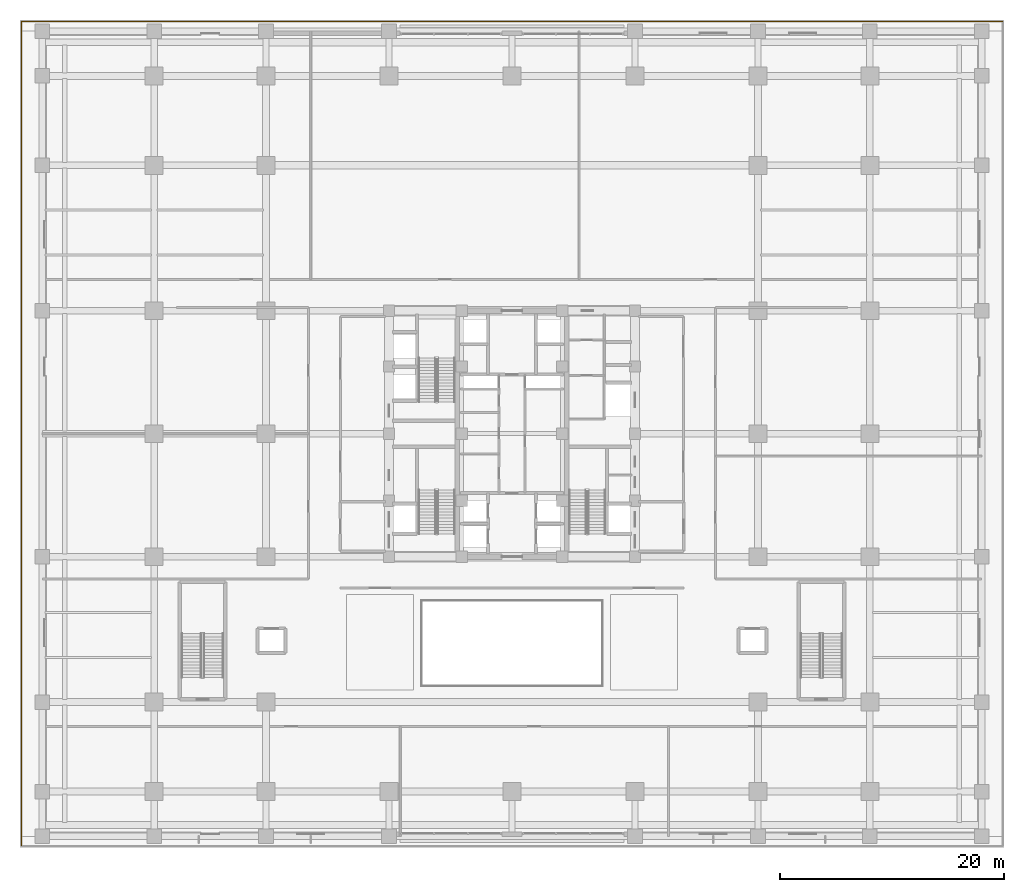
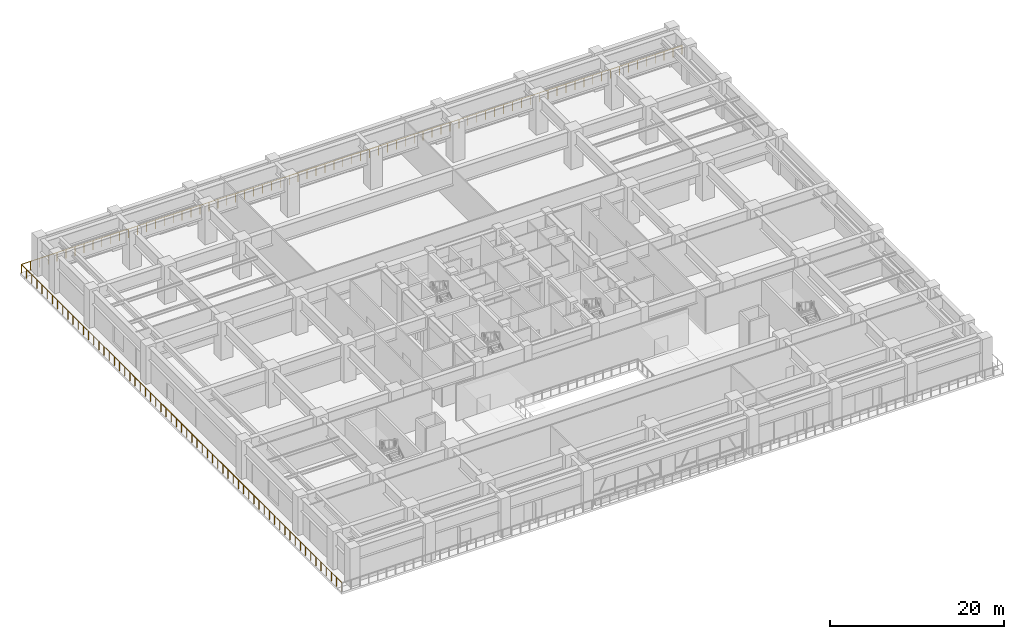
# One storey, part 25 of 28: 1 railing.
"""IFC4 building model written with IfcOpenShell, lengths in metres."""

import ifcopenshell
import ifcopenshell.guid

model = None  # the IFC model being written
_history = None  # IfcOwnerHistory: only IFC2X3 demands one
_inside = {}  # id of a spatial element -> (the spatial element, [elements in it])
_under = {}  # id of a project, library or spatial element -> (it, [spatial elements below it])
_declared = {}  # id of a project -> (the project, [libraries it declares])
_typed = {}  # id of a type object -> (the type object, [elements of that type])
_made_of = {}  # id of a material, layer set ... -> (it, [elements and type objects made of it])


def new_model(schema):
    """Start an empty IFC model of exactly this schema.

    Asked for "IFC4X3", IfcOpenShell would pick the latest addendum, in which some entities
    have other attributes; the version numbers below select the first issue.
    IFC2X3 requires an IfcOwnerHistory on every rooted entity: one is made here for all.
    """
    global model, _history
    if schema == "IFC4X3":
        model = ifcopenshell.file(schema_version=(4, 3, 0, 0))
    else:
        model = ifcopenshell.file(schema=schema)
    _inside.clear()
    _under.clear()
    _declared.clear()
    _typed.clear()
    _made_of.clear()
    _history = None
    if model.schema == "IFC2X3":
        org = make("IfcOrganization", Name="unknown")
        user = make(
            "IfcPersonAndOrganization",
            ThePerson=make("IfcPerson", FamilyName="unknown"),
            TheOrganization=org,
        )
        app = make(
            "IfcApplication",
            ApplicationDeveloper=org,
            Version="unknown",
            ApplicationFullName="unknown",
            ApplicationIdentifier="unknown",
        )
        _history = make(
            "IfcOwnerHistory",
            OwningUser=user,
            OwningApplication=app,
            ChangeAction="ADDED",
            CreationDate=0,
        )
    return model


def make(cls, **values):
    """One entity of the class cls with the attributes given. An attribute that is None is left unset."""
    return model.create_entity(
        cls, **{name: value for name, value in values.items() if value is not None}
    )


def rooted(cls, **values):
    """An entity with a GlobalId (a new one), such as an element, a storey or a relation."""
    return make(cls, GlobalId=ifcopenshell.guid.new(), OwnerHistory=_history, **values)


def si_unit(unit_type, name, prefix=None):
    """IfcSIUnit, for example si_unit("LENGTHUNIT", "METRE", prefix="MILLI")."""
    return make("IfcSIUnit", UnitType=unit_type, Prefix=prefix, Name=name)


def assignment(units):
    """IfcUnitAssignment: the units of a project."""
    return None if units is None else make("IfcUnitAssignment", Units=units)


def point(xyz):
    """IfcCartesianPoint."""
    return None if xyz is None else make("IfcCartesianPoint", Coordinates=xyz)


def direction(xyz):
    """IfcDirection."""
    return None if xyz is None else make("IfcDirection", DirectionRatios=xyz)


def frame(location, z_axis=None, x_axis=None):
    """IfcAxis2Placement3D, a coordinate frame: its origin and axes. An axis left out is left unset."""
    return make(
        "IfcAxis2Placement3D",
        Location=point(location),
        Axis=direction(z_axis),
        RefDirection=direction(x_axis),
    )


def frame_2d(location, x_axis=None):
    """IfcAxis2Placement2D, a coordinate frame in the plane: its origin and x axis."""
    return make(
        "IfcAxis2Placement2D", Location=point(location), RefDirection=direction(x_axis)
    )


def origin():
    """The frame at (0, 0, 0) with its axes left unset."""
    return frame((0.0, 0.0, 0.0))


def origin_2d():
    """The frame at (0, 0) in the plane with its x axis left unset."""
    return frame_2d((0.0, 0.0))


def place(relative_to, where):
    """IfcLocalPlacement: puts the frame where relative to a parent placement (None: the world)."""
    return make(
        "IfcLocalPlacement", PlacementRelTo=relative_to, RelativePlacement=where
    )


def context(
    kind, dimensions, precision=None, world=None, true_north=None, identifier=None
):
    """IfcGeometricRepresentationContext, for example the 3D "Model" context."""
    return make(
        "IfcGeometricRepresentationContext",
        ContextIdentifier=identifier,
        ContextType=kind,
        CoordinateSpaceDimension=dimensions,
        Precision=precision,
        WorldCoordinateSystem=world,
        TrueNorth=true_north,
    )


def subcontext(parent, identifier, kind, view, scale=None):
    """IfcGeometricRepresentationSubContext, for example "Body" below "Model"."""
    return make(
        "IfcGeometricRepresentationSubContext",
        ContextIdentifier=identifier,
        ContextType=kind,
        ParentContext=parent,
        TargetScale=scale,
        TargetView=view,
    )


def project(units=None, contexts=None):
    """IfcProject with its units and contexts."""
    return rooted(
        "IfcProject",
        Name="project",
        RepresentationContexts=contexts,
        UnitsInContext=assignment(units),
    )


def spatial(cls, under=None, at=None, **own):
    """A site, building, storey or space (cls), placed at a placement, below another one or the project."""
    s = rooted(cls, ObjectPlacement=at, **own)
    if under is not None:
        _under.setdefault(under.id(), (under, []))[1].append(s)
    return s


def profile(cls, at=None, kind="AREA", **sizes):
    """A parametric profile (cls). Its sizes go by their IFC names, for example OverallWidth=200.0."""
    return make(cls, ProfileType=kind, Position=at, **sizes)


def circle(**sizes):
    """IfcCircleProfileDef."""
    return profile("IfcCircleProfileDef", **sizes)


def extrude(swept, where, along, depth):
    """IfcExtrudedAreaSolid: the profile swept, set in the frame where, extruded along a direction by depth."""
    return make(
        "IfcExtrudedAreaSolid",
        SweptArea=swept,
        Position=where,
        ExtrudedDirection=direction(along),
        Depth=depth,
    )


def shape(context_of_items, identifier, shape_type, items):
    """IfcShapeRepresentation: the items that make up one representation, for example the "Body"."""
    return make(
        "IfcShapeRepresentation",
        ContextOfItems=context_of_items,
        RepresentationIdentifier=identifier,
        RepresentationType=shape_type,
        Items=items,
    )


def source(mapping_origin, context_of_items, identifier, shape_type, items):
    """IfcRepresentationMap: a shape defined once, which mapped items show again and again."""
    return make(
        "IfcRepresentationMap",
        MappingOrigin=mapping_origin,
        MappedRepresentation=shape(context_of_items, identifier, shape_type, items),
    )


def transform(
    local_origin,
    x_axis=None,
    y_axis=None,
    z_axis=None,
    scale=None,
    scale2=None,
    scale3=None,
    uniform=True,
):
    """IfcCartesianTransformationOperator3D, or its non-uniform kind. x_axis, y_axis, z_axis: its Axis1, 2, 3."""
    if uniform:
        return make(
            "IfcCartesianTransformationOperator3D",
            Axis1=direction(x_axis),
            Axis2=direction(y_axis),
            LocalOrigin=point(local_origin),
            Scale=scale,
            Axis3=direction(z_axis),
        )
    return make(
        "IfcCartesianTransformationOperator3DnonUniform",
        Axis1=direction(x_axis),
        Axis2=direction(y_axis),
        LocalOrigin=point(local_origin),
        Scale=scale,
        Axis3=direction(z_axis),
        Scale2=scale2,
        Scale3=scale3,
    )


def mapped(mapping_source, mapping_target):
    """IfcMappedItem: shows the shape of a source again, moved by a transform."""
    return make(
        "IfcMappedItem", MappingSource=mapping_source, MappingTarget=mapping_target
    )


def material(Name=None, Category=None):
    """IfcMaterial."""
    return make("IfcMaterial", Name=Name, Category=Category)


def made_of(thing, what):
    """Note that an element or type object is made of a material, layer set ...; save() writes the relation."""
    if what is not None:
        _made_of.setdefault(what.id(), (what, []))[1].append(thing)
    return thing


def type_object(cls, material=None, **own):
    """A type object (cls), such as IfcWallType, which elements share."""
    return made_of(rooted(cls, **own), material)


def element(
    cls,
    number,
    at=None,
    inside=None,
    cuts=None,
    type_object=None,
    material=None,
    context=None,
    identifier="Body",
    shape_type=None,
    held_by="IfcProductDefinitionShape",
    body=None,
    shapes=None,
    **own,
):
    """One element of the class cls, such as IfcWall. Its Tag is "e" and its number.

    at: its placement. inside: the storey or other place that contains it. cuts: it is an
    opening in that element (IfcRelVoidsElement). A single representation is given by context,
    identifier, shape_type and body (its items); several are given by shapes. held_by: the class
    of the entity that holds the representations. save() writes the other relations.
    """
    e = rooted(cls, Tag="e%d" % number, ObjectPlacement=at, **own)
    if body is not None:
        shapes = [shape(context, identifier, shape_type, body)]
    if shapes is not None:
        e.Representation = make(held_by, Representations=shapes)
    if inside is not None:
        _inside.setdefault(inside.id(), (inside, []))[1].append(e)
    if cuts is not None:
        rooted(
            "IfcRelVoidsElement", RelatingBuildingElement=cuts, RelatedOpeningElement=e
        )
    if type_object is not None:
        _typed.setdefault(type_object.id(), (type_object, []))[1].append(e)
    return made_of(e, material)


def aggregate(whole, parts):
    """IfcRelAggregates: a whole, such as a stair, and the parts it consists of."""
    return rooted("IfcRelAggregates", RelatingObject=whole, RelatedObjects=parts)


def save(model, path):
    """Write the relations noted so far, then the file.

    IfcRelAggregates (storeys below a building ...), IfcRelContainedInSpatialStructure (elements
    in a storey), IfcRelDefinesByType, IfcRelAssociatesMaterial and IfcRelDeclares: one each for
    every whole, place, type object, material and project.
    """
    for whole, parts in _under.values():
        aggregate(whole, parts)
    for where, things in _inside.values():
        rooted(
            "IfcRelContainedInSpatialStructure",
            RelatedElements=things,
            RelatingStructure=where,
        )
    for kind, things in _typed.values():
        rooted("IfcRelDefinesByType", RelatedObjects=things, RelatingType=kind)
    for what, things in _made_of.values():
        rooted("IfcRelAssociatesMaterial", RelatedObjects=things, RelatingMaterial=what)
    for by, libraries in _declared.values():
        rooted("IfcRelDeclares", RelatingContext=by, RelatedDefinitions=libraries)
    model.write(path)


model = new_model("IFC4")

# Units and contexts
model_context = context("Model", 3, precision=1e-05, world=origin(), true_north=direction((0.0, 1.0)))
body_context = subcontext(model_context, "Body", "Model", "MODEL_VIEW")
ifc_project = project(units=[si_unit("LENGTHUNIT", "METRE"), si_unit("AREAUNIT", "SQUARE_METRE"), si_unit("VOLUMEUNIT", "CUBIC_METRE"), si_unit("PLANEANGLEUNIT", "RADIAN"), si_unit("MASSUNIT", "GRAM", prefix="KILO")], contexts=[model_context])

# Site, building, storey
site_placement = place(None, origin())
site = spatial("IfcSite", under=ifc_project, at=site_placement, CompositionType="ELEMENT")
building_placement = place(site_placement, origin())
building = spatial("IfcBuilding", under=site, at=building_placement, Name="Khorayat Bourse Tower", CompositionType="ELEMENT")
storey_placement = place(building_placement, frame((0.0, 0.0, 12.0)))
storey = spatial("IfcBuildingStorey", under=building, at=storey_placement, Name="L02", CompositionType="ELEMENT", Elevation=12.0)

# Railing
ifc_material = material(Name="Laminated glass and bronze balustrade", Category="glass")
railing_type = type_object("IfcRailingType", Name="RLG-TERR-1250", PredefinedType="GUARDRAIL", material=ifc_material)
shared_shape = source(origin(), body_context, "Body", "SweptSolid", [
    extrude(circle(Radius=0.02392578125, at=origin_2d()), frame((0.0, 0.0, 1.22607421875), z_axis=(-1.0, 0.0, 0.0), x_axis=(0.0, -1.0, 0.0)), (0.0, 0.0, 1.0), 87.759765625),
    extrude(circle(Radius=0.02392578125, at=origin_2d()), frame((-87.759765625, 0.0, 1.22607421875), z_axis=(0.0, -1.0, 0.0), x_axis=(1.0, 0.0, 0.0)), (0.0, 0.0, 1.0), 73.699951171875),
    extrude(circle(Radius=0.02099609375, at=origin_2d()), origin(), (0.0, 0.0, 1.0), 1.201904296875),
    extrude(circle(Radius=0.02099609375, at=origin_2d()), frame((-1.18603515625, 0.0, 0.0)), (0.0, 0.0, 1.0), 1.201904296875),
    extrude(circle(Radius=0.02099609375, at=origin_2d()), frame((-2.371826171875, 0.0, 0.0)), (0.0, 0.0, 1.0), 1.201904296875),
    extrude(circle(Radius=0.02099609375, at=origin_2d()), frame((-3.557861328125, 0.0, 0.0)), (0.0, 0.0, 1.0), 1.201904296875),
    extrude(circle(Radius=0.02099609375, at=origin_2d()), frame((-4.74365234375, 0.0, 0.0)), (0.0, 0.0, 1.0), 1.201904296875),
    extrude(circle(Radius=0.02099609375, at=origin_2d()), frame((-5.9296875, 0.0, 0.0)), (0.0, 0.0, 1.0), 1.201904296875),
    extrude(circle(Radius=0.02099609375, at=origin_2d()), frame((-7.11572265625, 0.0, 0.0)), (0.0, 0.0, 1.0), 1.201904296875),
    extrude(circle(Radius=0.02099609375, at=origin_2d()), frame((-8.301513671875, 0.0, 0.0)), (0.0, 0.0, 1.0), 1.201904296875),
    extrude(circle(Radius=0.02099609375, at=origin_2d()), frame((-9.487548828125, 0.0, 0.0)), (0.0, 0.0, 1.0), 1.201904296875),
    extrude(circle(Radius=0.02099609375, at=origin_2d()), frame((-10.673583984375, 0.0, 0.0)), (0.0, 0.0, 1.0), 1.201904296875),
    extrude(circle(Radius=0.02099609375, at=origin_2d()), frame((-11.859375, 0.0, 0.0)), (0.0, 0.0, 1.0), 1.201904296875),
    extrude(circle(Radius=0.02099609375, at=origin_2d()), frame((-13.04541015625, 0.0, 0.0)), (0.0, 0.0, 1.0), 1.201904296875),
    extrude(circle(Radius=0.02099609375, at=origin_2d()), frame((-14.231201171875, 0.0, 0.0)), (0.0, 0.0, 1.0), 1.201904296875),
    extrude(circle(Radius=0.02099609375, at=origin_2d()), frame((-15.417236328125, 0.0, 0.0)), (0.0, 0.0, 1.0), 1.201904296875),
    extrude(circle(Radius=0.02099609375, at=origin_2d()), frame((-16.603271484375, 0.0, 0.0)), (0.0, 0.0, 1.0), 1.201904296875),
    extrude(circle(Radius=0.02099609375, at=origin_2d()), frame((-17.7890625, 0.0, 0.0)), (0.0, 0.0, 1.0), 1.201904296875),
    extrude(circle(Radius=0.02099609375, at=origin_2d()), frame((-18.97509765625, 0.0, 0.0)), (0.0, 0.0, 1.0), 1.201904296875),
    extrude(circle(Radius=0.02099609375, at=origin_2d()), frame((-20.1611328125, 0.0, 0.0)), (0.0, 0.0, 1.0), 1.201904296875),
    extrude(circle(Radius=0.02099609375, at=origin_2d()), frame((-21.346923828125, 0.0, 0.0)), (0.0, 0.0, 1.0), 1.201904296875),
    extrude(circle(Radius=0.02099609375, at=origin_2d()), frame((-22.532958984375, 0.0, 0.0)), (0.0, 0.0, 1.0), 1.201904296875),
    extrude(circle(Radius=0.02099609375, at=origin_2d()), frame((-23.71875, 0.0, 0.0)), (0.0, 0.0, 1.0), 1.201904296875),
    extrude(circle(Radius=0.02099609375, at=origin_2d()), frame((-24.90478515625, 0.0, 0.0)), (0.0, 0.0, 1.0), 1.201904296875),
    extrude(circle(Radius=0.02099609375, at=origin_2d()), frame((-26.0908203125, 0.0, 0.0)), (0.0, 0.0, 1.0), 1.201904296875),
    extrude(circle(Radius=0.02099609375, at=origin_2d()), frame((-27.276611328125, 0.0, 0.0)), (0.0, 0.0, 1.0), 1.201904296875),
    extrude(circle(Radius=0.02099609375, at=origin_2d()), frame((-28.462646484375, 0.0, 0.0)), (0.0, 0.0, 1.0), 1.201904296875),
    extrude(circle(Radius=0.02099609375, at=origin_2d()), frame((-29.648681640625, 0.0, 0.0)), (0.0, 0.0, 1.0), 1.201904296875),
    extrude(circle(Radius=0.02099609375, at=origin_2d()), frame((-30.83447265625, 0.0, 0.0)), (0.0, 0.0, 1.0), 1.201904296875),
    extrude(circle(Radius=0.02099609375, at=origin_2d()), frame((-32.0205078125, 0.0, 0.0)), (0.0, 0.0, 1.0), 1.201904296875),
    extrude(circle(Radius=0.02099609375, at=origin_2d()), frame((-33.206298828125, 0.0, 0.0)), (0.0, 0.0, 1.0), 1.201904296875),
    extrude(circle(Radius=0.02099609375, at=origin_2d()), frame((-34.392333984375, 0.0, 0.0)), (0.0, 0.0, 1.0), 1.201904296875),
    extrude(circle(Radius=0.02099609375, at=origin_2d()), frame((-35.578369140625, 0.0, 0.0)), (0.0, 0.0, 1.0), 1.201904296875),
    extrude(circle(Radius=0.02099609375, at=origin_2d()), frame((-36.76416015625, 0.0, 0.0)), (0.0, 0.0, 1.0), 1.201904296875),
    extrude(circle(Radius=0.02099609375, at=origin_2d()), frame((-37.9501953125, 0.0, 0.0)), (0.0, 0.0, 1.0), 1.201904296875),
    extrude(circle(Radius=0.02099609375, at=origin_2d()), frame((-39.13623046875, 0.0, 0.0)), (0.0, 0.0, 1.0), 1.201904296875),
    extrude(circle(Radius=0.02099609375, at=origin_2d()), frame((-40.322021484375, 0.0, 0.0)), (0.0, 0.0, 1.0), 1.201904296875),
    extrude(circle(Radius=0.02099609375, at=origin_2d()), frame((-41.508056640625, 0.0, 0.0)), (0.0, 0.0, 1.0), 1.201904296875),
    extrude(circle(Radius=0.02099609375, at=origin_2d()), frame((-42.69384765625, 0.0, 0.0)), (0.0, 0.0, 1.0), 1.201904296875),
    extrude(circle(Radius=0.02099609375, at=origin_2d()), frame((-43.8798828125, 0.0, 0.0)), (0.0, 0.0, 1.0), 1.201904296875),
    extrude(circle(Radius=0.02099609375, at=origin_2d()), frame((-45.06591796875, 0.0, 0.0)), (0.0, 0.0, 1.0), 1.201904296875),
    extrude(circle(Radius=0.02099609375, at=origin_2d()), frame((-46.251708984375, 0.0, 0.0)), (0.0, 0.0, 1.0), 1.201904296875),
    extrude(circle(Radius=0.02099609375, at=origin_2d()), frame((-47.437744140625, 0.0, 0.0)), (0.0, 0.0, 1.0), 1.201904296875),
    extrude(circle(Radius=0.02099609375, at=origin_2d()), frame((-48.62353515625, 0.0, 0.0)), (0.0, 0.0, 1.0), 1.201904296875),
    extrude(circle(Radius=0.02099609375, at=origin_2d()), frame((-49.8095703125, 0.0, 0.0)), (0.0, 0.0, 1.0), 1.201904296875),
    extrude(circle(Radius=0.02099609375, at=origin_2d()), frame((-50.99560546875, 0.0, 0.0)), (0.0, 0.0, 1.0), 1.201904296875),
    extrude(circle(Radius=0.02099609375, at=origin_2d()), frame((-52.181396484375, 0.0, 0.0)), (0.0, 0.0, 1.0), 1.201904296875),
    extrude(circle(Radius=0.02099609375, at=origin_2d()), frame((-53.367431640625, 0.0, 0.0)), (0.0, 0.0, 1.0), 1.201904296875),
    extrude(circle(Radius=0.02099609375, at=origin_2d()), frame((-54.553466796875, 0.0, 0.0)), (0.0, 0.0, 1.0), 1.201904296875),
    extrude(circle(Radius=0.02099609375, at=origin_2d()), frame((-55.7392578125, 0.0, 0.0)), (0.0, 0.0, 1.0), 1.201904296875),
    extrude(circle(Radius=0.02099609375, at=origin_2d()), frame((-56.92529296875, 0.0, 0.0)), (0.0, 0.0, 1.0), 1.201904296875),
    extrude(circle(Radius=0.02099609375, at=origin_2d()), frame((-58.111083984375, 0.0, 0.0)), (0.0, 0.0, 1.0), 1.201904296875),
    extrude(circle(Radius=0.02099609375, at=origin_2d()), frame((-59.297119140625, 0.0, 0.0)), (0.0, 0.0, 1.0), 1.201904296875),
    extrude(circle(Radius=0.02099609375, at=origin_2d()), frame((-60.483154296875, 0.0, 0.0)), (0.0, 0.0, 1.0), 1.201904296875),
    extrude(circle(Radius=0.02099609375, at=origin_2d()), frame((-61.6689453125, 0.0, 0.0)), (0.0, 0.0, 1.0), 1.201904296875),
    extrude(circle(Radius=0.02099609375, at=origin_2d()), frame((-62.85498046875, 0.0, 0.0)), (0.0, 0.0, 1.0), 1.201904296875),
    extrude(circle(Radius=0.02099609375, at=origin_2d()), frame((-64.041015625, 0.0, 0.0)), (0.0, 0.0, 1.0), 1.201904296875),
    extrude(circle(Radius=0.02099609375, at=origin_2d()), frame((-65.226806640625, 0.0, 0.0)), (0.0, 0.0, 1.0), 1.201904296875),
    extrude(circle(Radius=0.02099609375, at=origin_2d()), frame((-66.412841796875, 0.0, 0.0)), (0.0, 0.0, 1.0), 1.201904296875),
    extrude(circle(Radius=0.02099609375, at=origin_2d()), frame((-67.5986328125, 0.0, 0.0)), (0.0, 0.0, 1.0), 1.201904296875),
    extrude(circle(Radius=0.02099609375, at=origin_2d()), frame((-68.78466796875, 0.0, 0.0)), (0.0, 0.0, 1.0), 1.201904296875),
    extrude(circle(Radius=0.02099609375, at=origin_2d()), frame((-69.970703125, 0.0, 0.0)), (0.0, 0.0, 1.0), 1.201904296875),
    extrude(circle(Radius=0.02099609375, at=origin_2d()), frame((-71.156494140625, 0.0, 0.0)), (0.0, 0.0, 1.0), 1.201904296875),
    extrude(circle(Radius=0.02099609375, at=origin_2d()), frame((-72.342529296875, 0.0, 0.0)), (0.0, 0.0, 1.0), 1.201904296875),
    extrude(circle(Radius=0.02099609375, at=origin_2d()), frame((-73.528564453125, 0.0, 0.0)), (0.0, 0.0, 1.0), 1.201904296875),
    extrude(circle(Radius=0.02099609375, at=origin_2d()), frame((-74.71435546875, 0.0, 0.0)), (0.0, 0.0, 1.0), 1.201904296875),
    extrude(circle(Radius=0.02099609375, at=origin_2d()), frame((-75.900390625, 0.0, 0.0)), (0.0, 0.0, 1.0), 1.201904296875),
    extrude(circle(Radius=0.02099609375, at=origin_2d()), frame((-77.086181640625, 0.0, 0.0)), (0.0, 0.0, 1.0), 1.201904296875),
    extrude(circle(Radius=0.02099609375, at=origin_2d()), frame((-78.272216796875, 0.0, 0.0)), (0.0, 0.0, 1.0), 1.201904296875),
    extrude(circle(Radius=0.02099609375, at=origin_2d()), frame((-79.458251953125, 0.0, 0.0)), (0.0, 0.0, 1.0), 1.201904296875),
    extrude(circle(Radius=0.02099609375, at=origin_2d()), frame((-80.64404296875, 0.0, 0.0)), (0.0, 0.0, 1.0), 1.201904296875),
    extrude(circle(Radius=0.02099609375, at=origin_2d()), frame((-81.830078125, 0.0, 0.0)), (0.0, 0.0, 1.0), 1.201904296875),
    extrude(circle(Radius=0.02099609375, at=origin_2d()), frame((-83.01611328125, 0.0, 0.0)), (0.0, 0.0, 1.0), 1.201904296875),
    extrude(circle(Radius=0.02099609375, at=origin_2d()), frame((-84.201904296875, 0.0, 0.0)), (0.0, 0.0, 1.0), 1.201904296875),
    extrude(circle(Radius=0.02099609375, at=origin_2d()), frame((-85.387939453125, 0.0, 0.0)), (0.0, 0.0, 1.0), 1.201904296875),
    extrude(circle(Radius=0.02099609375, at=origin_2d()), frame((-86.57373046875, 0.0, 0.0)), (0.0, 0.0, 1.0), 1.201904296875),
    extrude(circle(Radius=0.02099609375, at=origin_2d()), frame((-87.759765625, 0.0, 0.0)), (0.0, 0.0, 1.0), 1.201904296875),
    extrude(circle(Radius=0.02099609375, at=origin_2d()), frame((-87.759765625, -1.188720703125, 0.0)), (0.0, 0.0, 1.0), 1.201904296875),
    extrude(circle(Radius=0.02099609375, at=origin_2d()), frame((-87.759765625, -2.37744140625, 0.0)), (0.0, 0.0, 1.0), 1.201904296875),
    extrude(circle(Radius=0.02099609375, at=origin_2d()), frame((-87.759765625, -3.566162109375, 0.0)), (0.0, 0.0, 1.0), 1.201904296875),
    extrude(circle(Radius=0.02099609375, at=origin_2d()), frame((-87.759765625, -4.7548828125, 0.0)), (0.0, 0.0, 1.0), 1.201904296875),
    extrude(circle(Radius=0.02099609375, at=origin_2d()), frame((-87.759765625, -5.943603515625, 0.0)), (0.0, 0.0, 1.0), 1.201904296875),
    extrude(circle(Radius=0.02099609375, at=origin_2d()), frame((-87.759765625, -7.13232421875, 0.0)), (0.0, 0.0, 1.0), 1.201904296875),
    extrude(circle(Radius=0.02099609375, at=origin_2d()), frame((-87.759765625, -8.321044921875, 0.0)), (0.0, 0.0, 1.0), 1.201904296875),
    extrude(circle(Radius=0.02099609375, at=origin_2d()), frame((-87.759765625, -9.509765625, 0.0)), (0.0, 0.0, 1.0), 1.201904296875),
    extrude(circle(Radius=0.02099609375, at=origin_2d()), frame((-87.759765625, -10.698486328125, 0.0)), (0.0, 0.0, 1.0), 1.201904296875),
    extrude(circle(Radius=0.02099609375, at=origin_2d()), frame((-87.759765625, -11.88720703125, 0.0)), (0.0, 0.0, 1.0), 1.201904296875),
    extrude(circle(Radius=0.02099609375, at=origin_2d()), frame((-87.759765625, -13.07568359375, 0.0)), (0.0, 0.0, 1.0), 1.201904296875),
    extrude(circle(Radius=0.02099609375, at=origin_2d()), frame((-87.759765625, -14.264404296875, 0.0)), (0.0, 0.0, 1.0), 1.201904296875),
    extrude(circle(Radius=0.02099609375, at=origin_2d()), frame((-87.759765625, -15.453125, 0.0)), (0.0, 0.0, 1.0), 1.201904296875),
    extrude(circle(Radius=0.02099609375, at=origin_2d()), frame((-87.759765625, -16.641845703125, 0.0)), (0.0, 0.0, 1.0), 1.201904296875),
    extrude(circle(Radius=0.02099609375, at=origin_2d()), frame((-87.759765625, -17.83056640625, 0.0)), (0.0, 0.0, 1.0), 1.201904296875),
    extrude(circle(Radius=0.02099609375, at=origin_2d()), frame((-87.759765625, -19.019287109375, 0.0)), (0.0, 0.0, 1.0), 1.201904296875),
    extrude(circle(Radius=0.02099609375, at=origin_2d()), frame((-87.759765625, -20.2080078125, 0.0)), (0.0, 0.0, 1.0), 1.201904296875),
    extrude(circle(Radius=0.02099609375, at=origin_2d()), frame((-87.759765625, -21.396728515625, 0.0)), (0.0, 0.0, 1.0), 1.201904296875),
    extrude(circle(Radius=0.02099609375, at=origin_2d()), frame((-87.759765625, -22.58544921875, 0.0)), (0.0, 0.0, 1.0), 1.201904296875),
    extrude(circle(Radius=0.02099609375, at=origin_2d()), frame((-87.759765625, -23.774169921875, 0.0)), (0.0, 0.0, 1.0), 1.201904296875),
    extrude(circle(Radius=0.02099609375, at=origin_2d()), frame((-87.759765625, -24.962890625, 0.0)), (0.0, 0.0, 1.0), 1.201904296875),
    extrude(circle(Radius=0.02099609375, at=origin_2d()), frame((-87.759765625, -26.151611328125, 0.0)), (0.0, 0.0, 1.0), 1.201904296875),
    extrude(circle(Radius=0.02099609375, at=origin_2d()), frame((-87.759765625, -27.34033203125, 0.0)), (0.0, 0.0, 1.0), 1.201904296875),
    extrude(circle(Radius=0.02099609375, at=origin_2d()), frame((-87.759765625, -28.529052734375, 0.0)), (0.0, 0.0, 1.0), 1.201904296875),
    extrude(circle(Radius=0.02099609375, at=origin_2d()), frame((-87.759765625, -29.7177734375, 0.0)), (0.0, 0.0, 1.0), 1.201904296875),
    extrude(circle(Radius=0.02099609375, at=origin_2d()), frame((-87.759765625, -30.906494140625, 0.0)), (0.0, 0.0, 1.0), 1.201904296875),
    extrude(circle(Radius=0.02099609375, at=origin_2d()), frame((-87.759765625, -32.09521484375, 0.0)), (0.0, 0.0, 1.0), 1.201904296875),
    extrude(circle(Radius=0.02099609375, at=origin_2d()), frame((-87.759765625, -33.283935546875, 0.0)), (0.0, 0.0, 1.0), 1.201904296875),
    extrude(circle(Radius=0.02099609375, at=origin_2d()), frame((-87.759765625, -34.47265625, 0.0)), (0.0, 0.0, 1.0), 1.201904296875),
    extrude(circle(Radius=0.02099609375, at=origin_2d()), frame((-87.759765625, -35.661376953125, 0.0)), (0.0, 0.0, 1.0), 1.201904296875),
    extrude(circle(Radius=0.02099609375, at=origin_2d()), frame((-87.759765625, -36.85009765625, 0.0)), (0.0, 0.0, 1.0), 1.201904296875),
    extrude(circle(Radius=0.02099609375, at=origin_2d()), frame((-87.759765625, -38.03857421875, 0.0)), (0.0, 0.0, 1.0), 1.201904296875),
    extrude(circle(Radius=0.02099609375, at=origin_2d()), frame((-87.759765625, -39.227294921875, 0.0)), (0.0, 0.0, 1.0), 1.201904296875),
    extrude(circle(Radius=0.02099609375, at=origin_2d()), frame((-87.759765625, -40.416015625, 0.0)), (0.0, 0.0, 1.0), 1.201904296875),
    extrude(circle(Radius=0.02099609375, at=origin_2d()), frame((-87.759765625, -41.604736328125, 0.0)), (0.0, 0.0, 1.0), 1.201904296875),
    extrude(circle(Radius=0.02099609375, at=origin_2d()), frame((-87.759765625, -42.79345703125, 0.0)), (0.0, 0.0, 1.0), 1.201904296875),
    extrude(circle(Radius=0.02099609375, at=origin_2d()), frame((-87.759765625, -43.982177734375, 0.0)), (0.0, 0.0, 1.0), 1.201904296875),
    extrude(circle(Radius=0.02099609375, at=origin_2d()), frame((-87.759765625, -45.1708984375, 0.0)), (0.0, 0.0, 1.0), 1.201904296875),
    extrude(circle(Radius=0.02099609375, at=origin_2d()), frame((-87.759765625, -46.359619140625, 0.0)), (0.0, 0.0, 1.0), 1.201904296875),
    extrude(circle(Radius=0.02099609375, at=origin_2d()), frame((-87.759765625, -47.54833984375, 0.0)), (0.0, 0.0, 1.0), 1.201904296875),
    extrude(circle(Radius=0.02099609375, at=origin_2d()), frame((-87.759765625, -48.737060546875, 0.0)), (0.0, 0.0, 1.0), 1.201904296875),
    extrude(circle(Radius=0.02099609375, at=origin_2d()), frame((-87.759765625, -49.92578125, 0.0)), (0.0, 0.0, 1.0), 1.201904296875),
    extrude(circle(Radius=0.02099609375, at=origin_2d()), frame((-87.759765625, -51.114501953125, 0.0)), (0.0, 0.0, 1.0), 1.201904296875),
    extrude(circle(Radius=0.02099609375, at=origin_2d()), frame((-87.759765625, -52.30322265625, 0.0)), (0.0, 0.0, 1.0), 1.201904296875),
    extrude(circle(Radius=0.02099609375, at=origin_2d()), frame((-87.759765625, -53.491943359375, 0.0)), (0.0, 0.0, 1.0), 1.201904296875),
    extrude(circle(Radius=0.02099609375, at=origin_2d()), frame((-87.759765625, -54.6806640625, 0.0)), (0.0, 0.0, 1.0), 1.201904296875),
    extrude(circle(Radius=0.02099609375, at=origin_2d()), frame((-87.759765625, -55.869384765625, 0.0)), (0.0, 0.0, 1.0), 1.201904296875),
    extrude(circle(Radius=0.02099609375, at=origin_2d()), frame((-87.759765625, -57.05810546875, 0.0)), (0.0, 0.0, 1.0), 1.201904296875),
    extrude(circle(Radius=0.02099609375, at=origin_2d()), frame((-87.759765625, -58.246826171875, 0.0)), (0.0, 0.0, 1.0), 1.201904296875),
    extrude(circle(Radius=0.02099609375, at=origin_2d()), frame((-87.759765625, -59.435546875, 0.0)), (0.0, 0.0, 1.0), 1.201904296875),
    extrude(circle(Radius=0.02099609375, at=origin_2d()), frame((-87.759765625, -60.624267578125, 0.0)), (0.0, 0.0, 1.0), 1.201904296875),
    extrude(circle(Radius=0.02099609375, at=origin_2d()), frame((-87.759765625, -61.812744140625, 0.0)), (0.0, 0.0, 1.0), 1.201904296875),
    extrude(circle(Radius=0.02099609375, at=origin_2d()), frame((-87.759765625, -63.00146484375, 0.0)), (0.0, 0.0, 1.0), 1.201904296875),
    extrude(circle(Radius=0.02099609375, at=origin_2d()), frame((-87.759765625, -64.190185546875, 0.0)), (0.0, 0.0, 1.0), 1.201904296875),
    extrude(circle(Radius=0.02099609375, at=origin_2d()), frame((-87.759765625, -65.37890625, 0.0)), (0.0, 0.0, 1.0), 1.201904296875),
    extrude(circle(Radius=0.02099609375, at=origin_2d()), frame((-87.759765625, -66.567626953125, 0.0)), (0.0, 0.0, 1.0), 1.201904296875),
    extrude(circle(Radius=0.02099609375, at=origin_2d()), frame((-87.759765625, -67.75634765625, 0.0)), (0.0, 0.0, 1.0), 1.201904296875),
    extrude(circle(Radius=0.02099609375, at=origin_2d()), frame((-87.759765625, -68.945068359375, 0.0)), (0.0, 0.0, 1.0), 1.201904296875),
    extrude(circle(Radius=0.02099609375, at=origin_2d()), frame((-87.759765625, -70.1337890625, 0.0)), (0.0, 0.0, 1.0), 1.201904296875),
    extrude(circle(Radius=0.02099609375, at=origin_2d()), frame((-87.759765625, -71.322509765625, 0.0)), (0.0, 0.0, 1.0), 1.201904296875),
    extrude(circle(Radius=0.02099609375, at=origin_2d()), frame((-87.759765625, -72.51123046875, 0.0)), (0.0, 0.0, 1.0), 1.201904296875),
    extrude(circle(Radius=0.02099609375, at=origin_2d()), frame((-87.759765625, -73.699951171875, 0.0)), (0.0, 0.0, 1.0), 1.201904296875),
])
railing_placement = place(storey_placement, frame((43.8798828125, 36.8798828125, 0.0)))
element("IfcRailing", 1, at=railing_placement, inside=storey, type_object=railing_type, Name="L02 Cascading Terrace Perimeter Guard NW", PredefinedType="GUARDRAIL", context=body_context, shape_type="MappedRepresentation", body=[
    mapped(shared_shape, transform((0.0, 0.0, 0.0), scale=1.0)),
])

save(model, "model.ifc")
